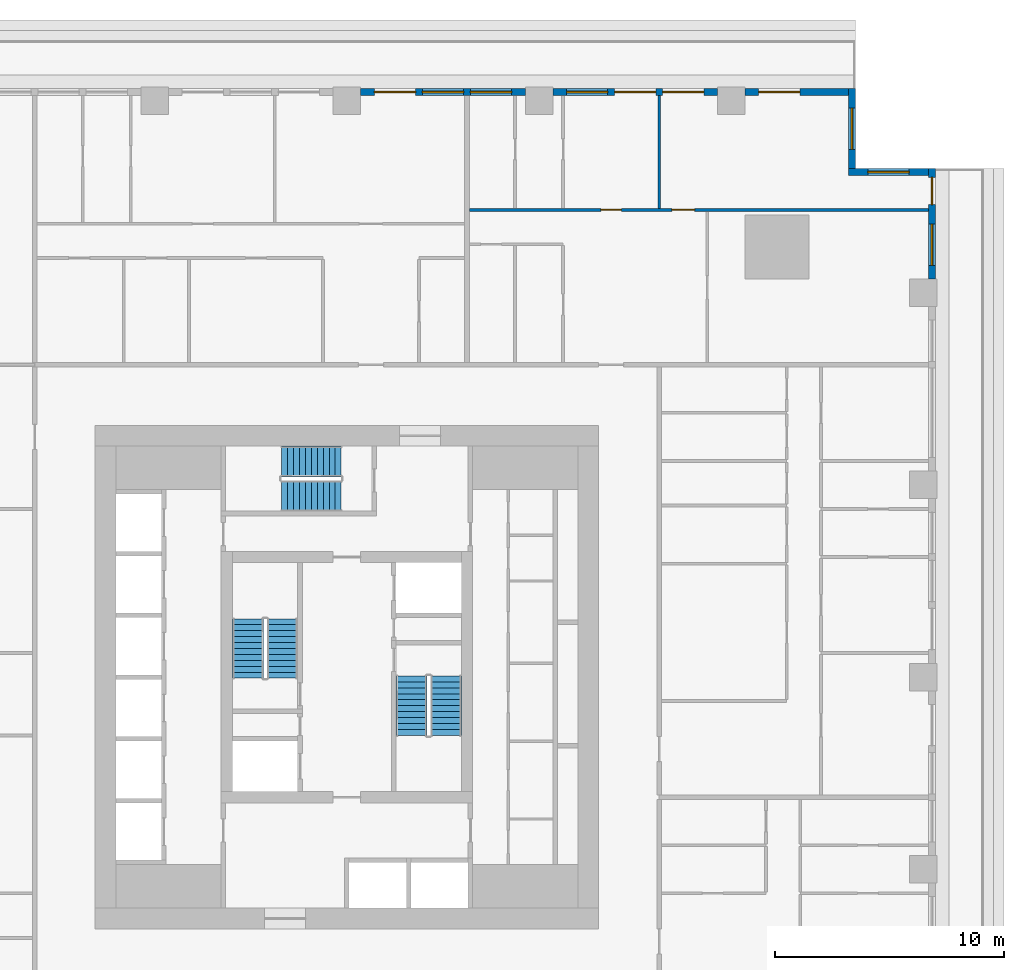
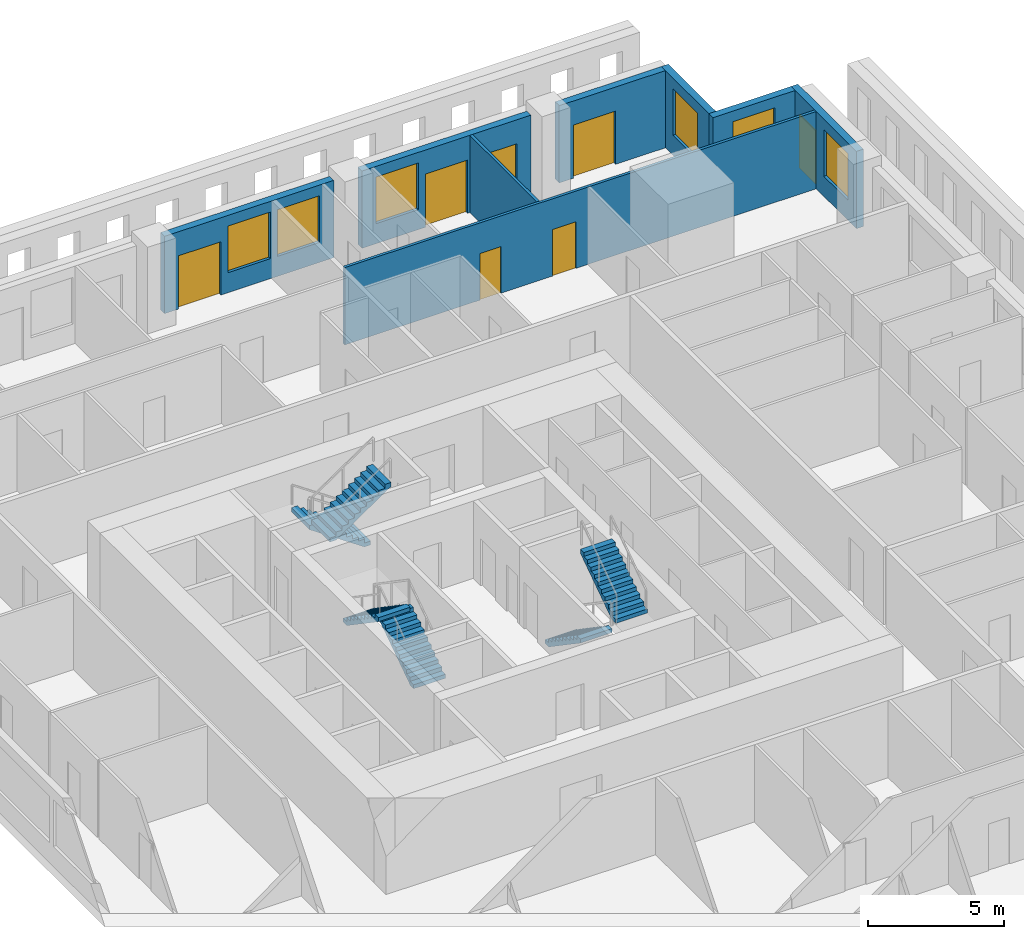
# One storey, part 9 of 14: 8 walls, 7 doors, 6 stair flights, 6 windows, 13 openings, 3 elements without a shape of their own.
"""IFC4 building model written with IfcOpenShell, lengths in metres."""

from ifc_helpers import new_model, si_unit, direction, frame, frame_2d, origin, place, context, subcontext, project, spatial, polyline, rectangle, outline, extrude, material, layer, layer_set, type_object, element, fill, aggregate, save


model = new_model("IFC4")

# Units and contexts
model_context = context("Model", 3, precision=1e-05, world=origin(), true_north=direction((0.0, 1.0)))
body_context = subcontext(model_context, "Body", "Model", "MODEL_VIEW")
ifc_project = project(units=[si_unit("LENGTHUNIT", "METRE"), si_unit("AREAUNIT", "SQUARE_METRE"), si_unit("VOLUMEUNIT", "CUBIC_METRE"), si_unit("PLANEANGLEUNIT", "RADIAN"), si_unit("MASSUNIT", "GRAM", prefix="KILO")], contexts=[model_context])

# Site, building, storey
site_placement = place(None, origin())
site = spatial("IfcSite", under=ifc_project, at=site_placement, CompositionType="ELEMENT")
building_placement = place(site_placement, origin())
building = spatial("IfcBuilding", under=site, at=building_placement, Name="Khepri Terraces", CompositionType="ELEMENT")
storey_placement = place(building_placement, frame((0.0, 0.0, 102.60009765625)))
storey = spatial("IfcBuildingStorey", under=building, at=storey_placement, Name="L24", CompositionType="ELEMENT", Elevation=102.60009765625)

# Wall, openings, door, window
ifc_material_1 = material(Name="Precast concrete C50/60 warm stone", Category="masonry")
ifc_layer_1 = layer(ifc_material_1, 0.300048828125, Name="Precast concrete C50/60 warm stone", Category="masonry")
ifc_layer_set_1 = layer_set([ifc_layer_1], Name="Precast concrete C50/60 warm stone")
wall_type_1 = type_object("IfcWallType", Name="WL-EXT-PRECAST-300", PredefinedType="STANDARD", material=ifc_layer_set_1)
wall_1_placement = place(storey_placement, frame((25.570068359375, 17.39990234375, 0.0), z_axis=(0.0, 0.0, 1.0), x_axis=(0.0, 1.0, 0.0)))
wall_1 = element("IfcWall", 1, at=wall_1_placement, inside=storey, type_object=wall_type_1, Name="External wall L24 E", PredefinedType="STANDARD", context=body_context, shape_type="SweptSolid", body=[
    extrude(rectangle(XDim=4.820068359375, YDim=0.300048828125, at=frame_2d((2.41015625, 0.0))), origin(), (0.0, 0.0, 1.0), 3.47998046875),
])
opening_1_placement = place(wall_1_placement, frame((0.60009765625, 0.0, 0.89990234375)))
opening_1 = element("IfcOpeningElement", 2, at=opening_1_placement, cuts=wall_1, Name="Opening W1", PredefinedType="OPENING", context=body_context, shape_type="SweptSolid", body=[
    extrude(rectangle(XDim=1.800048828125, YDim=2.10009765625, at=frame_2d((0.89990234375, 1.050048828125))), frame((0.0, 0.16015625, 0.0), z_axis=(0.0, -1.0, 0.0), x_axis=(1.0, 0.0, 0.0)), (0.0, 0.0, 1.0), 0.320068359375),
])
opening_2_placement = place(wall_1_placement, frame((3.2451171875, 0.0, 0.0)))
opening_2 = element("IfcOpeningElement", 3, at=opening_2_placement, cuts=wall_1, Name="Opening ED-L24-06", PredefinedType="OPENING", context=body_context, shape_type="SweptSolid", body=[
    extrude(rectangle(XDim=1.199951171875, YDim=2.39990234375, at=frame_2d((0.60009765625, 1.199951171875))), frame((0.0, 0.16015625, 0.0), z_axis=(0.0, -1.0, 0.0), x_axis=(1.0, 0.0, 0.0)), (0.0, 0.0, 1.0), 0.320068359375),
])
ifc_material_2 = material(Name="Anodised aluminium bronze glazed door", Category="aluminium")
door_type_1 = type_object("IfcDoorType", Name="DR-BAL-SLIDE-1200x2400", OperationType="NOTDEFINED", PredefinedType="DOOR", material=ifc_material_2)
door_1_placement = place(opening_2_placement, origin())
door_1 = element("IfcDoor", 4, at=door_1_placement, inside=storey, type_object=door_type_1, Name="Balcony door L24 E", OperationType="SLIDING_TO_RIGHT", OverallHeight=2.39990234375, OverallWidth=1.199951171875, PredefinedType="DOOR", context=body_context, shape_type="SweptSolid", body=[
    extrude(rectangle(XDim=1.199951171875, YDim=2.39990234375, at=frame_2d((0.60009765625, 1.199951171875))), frame((0.0, 0.02490234375, 0.0), z_axis=(0.0, -1.0, 0.0), x_axis=(1.0, 0.0, 0.0)), (0.0, 0.0, 1.0), 0.050048828125),
])
fill(opening_2, door_1)
ifc_material_3 = material(Name="Clear glass", Category="glass")
window_type = type_object("IfcWindowType", Name="WIN-RES-1800x2100", PartitioningType="SINGLE_PANEL", PredefinedType="WINDOW", material=ifc_material_3)
window_1_placement = place(opening_1_placement, origin())
window_1 = element("IfcWindow", 5, at=window_1_placement, inside=storey, type_object=window_type, Name="Window L24 E", OverallHeight=2.10009765625, OverallWidth=1.800048828125, PartitioningType="SINGLE_PANEL", PredefinedType="WINDOW", context=body_context, shape_type="SweptSolid", body=[
    extrude(rectangle(XDim=1.800048828125, YDim=2.10009765625, at=frame_2d((0.89990234375, 1.050048828125))), frame((0.0, 0.030029296875, 0.0), z_axis=(0.0, -1.0, 0.0), x_axis=(1.0, 0.0, 0.0)), (0.0, 0.0, 1.0), 0.06005859375),
])
fill(opening_1, window_1)

# Wall, opening, window
wall_2_placement = place(storey_placement, frame((25.419921875, 22.070068359375, 0.0), z_axis=(0.0, 0.0, 1.0), x_axis=(-1.0, 0.0, 0.0)))
wall_2 = element("IfcWall", 6, at=wall_2_placement, inside=storey, type_object=wall_type_1, Name="External wall L24 N", PredefinedType="STANDARD", context=body_context, shape_type="SweptSolid", body=[
    extrude(rectangle(XDim=3.5, YDim=0.300048828125, at=frame_2d((1.75, 0.0))), origin(), (0.0, 0.0, 1.0), 3.47998046875),
])
opening_3_placement = place(wall_2_placement, frame((0.85009765625, 0.0, 0.89990234375)))
opening_3 = element("IfcOpeningElement", 7, at=opening_3_placement, cuts=wall_2, Name="Opening W1", PredefinedType="OPENING", context=body_context, shape_type="SweptSolid", body=[
    extrude(rectangle(XDim=1.800048828125, YDim=2.10009765625, at=frame_2d((0.89990234375, 1.050048828125))), frame((0.0, 0.16015625, 0.0), z_axis=(0.0, -1.0, 0.0), x_axis=(1.0, 0.0, 0.0)), (0.0, 0.0, 1.0), 0.320068359375),
])
window_2_placement = place(opening_3_placement, origin())
window_2 = element("IfcWindow", 8, at=window_2_placement, inside=storey, type_object=window_type, Name="Window L24 N", OverallHeight=2.10009765625, OverallWidth=1.800048828125, PartitioningType="SINGLE_PANEL", PredefinedType="WINDOW", context=body_context, shape_type="SweptSolid", body=[
    extrude(rectangle(XDim=1.800048828125, YDim=2.10009765625, at=frame_2d((0.89990234375, 1.050048828125))), frame((0.0, 0.030029296875, 0.0), z_axis=(0.0, -1.0, 0.0), x_axis=(1.0, 0.0, 0.0)), (0.0, 0.0, 1.0), 0.06005859375),
])
fill(opening_3, window_2)

wall_3_placement = place(storey_placement, frame((22.070068359375, 22.219970703125, 0.0), z_axis=(0.0, 0.0, 1.0), x_axis=(0.0, 1.0, 0.0)))
wall_3 = element("IfcWall", 9, at=wall_3_placement, inside=storey, type_object=wall_type_1, Name="External wall L24 E", PredefinedType="STANDARD", context=body_context, shape_type="SweptSolid", body=[
    extrude(rectangle(XDim=3.5, YDim=0.300048828125, at=frame_2d((1.75, 0.0))), origin(), (0.0, 0.0, 1.0), 3.47998046875),
])
opening_4_placement = place(wall_3_placement, frame((0.85009765625, 0.0, 0.89990234375)))
opening_4 = element("IfcOpeningElement", 10, at=opening_4_placement, cuts=wall_3, Name="Opening W1", PredefinedType="OPENING", context=body_context, shape_type="SweptSolid", body=[
    extrude(rectangle(XDim=1.800048828125, YDim=2.10009765625, at=frame_2d((0.89990234375, 1.050048828125))), frame((0.0, 0.16015625, 0.0), z_axis=(0.0, -1.0, 0.0), x_axis=(1.0, 0.0, 0.0)), (0.0, 0.0, 1.0), 0.320068359375),
])
window_3_placement = place(opening_4_placement, origin())
window_3 = element("IfcWindow", 11, at=window_3_placement, inside=storey, type_object=window_type, Name="Window L24 E", OverallHeight=2.10009765625, OverallWidth=1.800048828125, PartitioningType="SINGLE_PANEL", PredefinedType="WINDOW", context=body_context, shape_type="SweptSolid", body=[
    extrude(rectangle(XDim=1.800048828125, YDim=2.10009765625, at=frame_2d((0.89990234375, 1.050048828125))), frame((0.0, 0.030029296875, 0.0), z_axis=(0.0, -1.0, 0.0), x_axis=(1.0, 0.0, 0.0)), (0.0, 0.0, 1.0), 0.06005859375),
])
fill(opening_4, window_3)

# Wall, opening, door
wall_4_placement = place(storey_placement, frame((21.919921875, 25.570068359375, 0.0), z_axis=(0.0, 0.0, 1.0), x_axis=(-1.0, 0.0, 0.0)))
wall_4 = element("IfcWall", 12, at=wall_4_placement, inside=storey, type_object=wall_type_1, Name="External wall L24 N", PredefinedType="STANDARD", context=body_context, shape_type="SweptSolid", body=[
    extrude(rectangle(XDim=4.52001953125, YDim=0.300048828125, at=frame_2d((2.260009765625, 0.0))), origin(), (0.0, 0.0, 1.0), 3.47998046875),
])
opening_5_placement = place(wall_4_placement, frame((2.1201171875, 0.0, 0.0)))
opening_5 = element("IfcOpeningElement", 13, at=opening_5_placement, cuts=wall_4, Name="Opening ED-L24-07", PredefinedType="OPENING", context=body_context, shape_type="SweptSolid", body=[
    extrude(rectangle(XDim=1.800048828125, YDim=2.39990234375, at=frame_2d((0.89990234375, 1.199951171875))), frame((0.0, 0.16015625, 0.0), z_axis=(0.0, -1.0, 0.0), x_axis=(1.0, 0.0, 0.0)), (0.0, 0.0, 1.0), 0.320068359375),
])
door_type_2 = type_object("IfcDoorType", Name="DR-BAL-SLIDE-1800x2400", OperationType="NOTDEFINED", PredefinedType="DOOR", material=ifc_material_2)
door_2_placement = place(opening_5_placement, origin())
door_2 = element("IfcDoor", 14, at=door_2_placement, inside=storey, type_object=door_type_2, Name="Balcony door L24 N", OperationType="SLIDING_TO_RIGHT", OverallHeight=2.39990234375, OverallWidth=1.800048828125, PredefinedType="DOOR", context=body_context, shape_type="SweptSolid", body=[
    extrude(rectangle(XDim=1.800048828125, YDim=2.39990234375, at=frame_2d((0.89990234375, 1.199951171875))), frame((0.0, 0.02490234375, 0.0), z_axis=(0.0, -1.0, 0.0), x_axis=(1.0, 0.0, 0.0)), (0.0, 0.0, 1.0), 0.050048828125),
])
fill(opening_5, door_2)

# Wall, openings, doors, window
wall_5_placement = place(storey_placement, frame((16.199951171875, 25.570068359375, 0.0), z_axis=(0.0, 0.0, 1.0), x_axis=(-1.0, 0.0, 0.0)))
wall_5 = element("IfcWall", 15, at=wall_5_placement, inside=storey, type_object=wall_type_1, Name="External wall L24 N", PredefinedType="STANDARD", context=body_context, shape_type="SweptSolid", body=[
    extrude(rectangle(XDim=7.199951171875, YDim=0.300048828125, at=frame_2d((3.60009765625, 0.0))), origin(), (0.0, 0.0, 1.0), 3.47998046875),
])
opening_6_placement = place(wall_5_placement, frame((0.60009765625, 0.0, 0.0)))
opening_6 = element("IfcOpeningElement", 16, at=opening_6_placement, cuts=wall_5, Name="Opening ED-L24-08", PredefinedType="OPENING", context=body_context, shape_type="SweptSolid", body=[
    extrude(rectangle(XDim=1.800048828125, YDim=2.39990234375, at=frame_2d((0.89990234375, 1.199951171875))), frame((0.0, 0.16015625, 0.0), z_axis=(0.0, -1.0, 0.0), x_axis=(1.0, 0.0, 0.0)), (0.0, 0.0, 1.0), 0.320068359375),
])
opening_7_placement = place(wall_5_placement, frame((2.699951171875, 0.0, 0.0)))
opening_7 = element("IfcOpeningElement", 17, at=opening_7_placement, cuts=wall_5, Name="Opening ED-L24-09", PredefinedType="OPENING", context=body_context, shape_type="SweptSolid", body=[
    extrude(rectangle(XDim=1.800048828125, YDim=2.39990234375, at=frame_2d((0.89990234375, 1.199951171875))), frame((0.0, 0.16015625, 0.0), z_axis=(0.0, -1.0, 0.0), x_axis=(1.0, 0.0, 0.0)), (0.0, 0.0, 1.0), 0.320068359375),
])
opening_8_placement = place(wall_5_placement, frame((4.800048828125, 0.0, 0.89990234375)))
opening_8 = element("IfcOpeningElement", 18, at=opening_8_placement, cuts=wall_5, Name="Opening W1", PredefinedType="OPENING", context=body_context, shape_type="SweptSolid", body=[
    extrude(rectangle(XDim=1.800048828125, YDim=2.10009765625, at=frame_2d((0.89990234375, 1.050048828125))), frame((0.0, 0.16015625, 0.0), z_axis=(0.0, -1.0, 0.0), x_axis=(1.0, 0.0, 0.0)), (0.0, 0.0, 1.0), 0.320068359375),
])
door_3_placement = place(opening_6_placement, origin())
door_3 = element("IfcDoor", 19, at=door_3_placement, inside=storey, type_object=door_type_2, Name="Balcony door L24 N", OperationType="SLIDING_TO_LEFT", OverallHeight=2.39990234375, OverallWidth=1.800048828125, PredefinedType="DOOR", context=body_context, shape_type="SweptSolid", body=[
    extrude(rectangle(XDim=1.800048828125, YDim=2.39990234375, at=frame_2d((0.89990234375, 1.199951171875))), frame((0.0, 0.02490234375, 0.0), z_axis=(0.0, -1.0, 0.0), x_axis=(1.0, 0.0, 0.0)), (0.0, 0.0, 1.0), 0.050048828125),
])
fill(opening_6, door_3)
door_4_placement = place(opening_7_placement, origin())
door_4 = element("IfcDoor", 20, at=door_4_placement, inside=storey, type_object=door_type_2, Name="Balcony door L24 N", OperationType="SLIDING_TO_RIGHT", OverallHeight=2.39990234375, OverallWidth=1.800048828125, PredefinedType="DOOR", context=body_context, shape_type="SweptSolid", body=[
    extrude(rectangle(XDim=1.800048828125, YDim=2.39990234375, at=frame_2d((0.89990234375, 1.199951171875))), frame((0.0, 0.02490234375, 0.0), z_axis=(0.0, -1.0, 0.0), x_axis=(1.0, 0.0, 0.0)), (0.0, 0.0, 1.0), 0.050048828125),
])
fill(opening_7, door_4)
window_4_placement = place(opening_8_placement, origin())
window_4 = element("IfcWindow", 21, at=window_4_placement, inside=storey, type_object=window_type, Name="Window L24 N", OverallHeight=2.10009765625, OverallWidth=1.800048828125, PartitioningType="SINGLE_PANEL", PredefinedType="WINDOW", context=body_context, shape_type="SweptSolid", body=[
    extrude(rectangle(XDim=1.800048828125, YDim=2.10009765625, at=frame_2d((0.89990234375, 1.050048828125))), frame((0.0, 0.030029296875, 0.0), z_axis=(0.0, -1.0, 0.0), x_axis=(1.0, 0.0, 0.0)), (0.0, 0.0, 1.0), 0.06005859375),
])
fill(opening_8, window_4)

# Wall, openings, door, windows
wall_6_placement = place(storey_placement, frame((7.800048828125, 25.570068359375, 0.0), z_axis=(0.0, 0.0, 1.0), x_axis=(-1.0, 0.0, 0.0)))
wall_6 = element("IfcWall", 22, at=wall_6_placement, inside=storey, type_object=wall_type_1, Name="External wall L24 N", PredefinedType="STANDARD", context=body_context, shape_type="SweptSolid", body=[
    extrude(rectangle(XDim=7.199951171875, YDim=0.300048828125, at=frame_2d((3.60009765625, 0.0))), origin(), (0.0, 0.0, 1.0), 3.47998046875),
])
opening_9_placement = place(wall_6_placement, frame((0.60009765625, 0.0, 0.89990234375)))
opening_9 = element("IfcOpeningElement", 23, at=opening_9_placement, cuts=wall_6, Name="Opening W1", PredefinedType="OPENING", context=body_context, shape_type="SweptSolid", body=[
    extrude(rectangle(XDim=1.800048828125, YDim=2.10009765625, at=frame_2d((0.89990234375, 1.050048828125))), frame((0.0, 0.16015625, 0.0), z_axis=(0.0, -1.0, 0.0), x_axis=(1.0, 0.0, 0.0)), (0.0, 0.0, 1.0), 0.320068359375),
])
opening_10_placement = place(wall_6_placement, frame((2.699951171875, 0.0, 0.89990234375)))
opening_10 = element("IfcOpeningElement", 24, at=opening_10_placement, cuts=wall_6, Name="Opening W1", PredefinedType="OPENING", context=body_context, shape_type="SweptSolid", body=[
    extrude(rectangle(XDim=1.800048828125, YDim=2.10009765625, at=frame_2d((0.89990234375, 1.050048828125))), frame((0.0, 0.16015625, 0.0), z_axis=(0.0, -1.0, 0.0), x_axis=(1.0, 0.0, 0.0)), (0.0, 0.0, 1.0), 0.320068359375),
])
opening_11_placement = place(wall_6_placement, frame((4.800048828125, 0.0, 0.0)))
opening_11 = element("IfcOpeningElement", 25, at=opening_11_placement, cuts=wall_6, Name="Opening ED-L24-10", PredefinedType="OPENING", context=body_context, shape_type="SweptSolid", body=[
    extrude(rectangle(XDim=1.800048828125, YDim=2.39990234375, at=frame_2d((0.89990234375, 1.199951171875))), frame((0.0, 0.16015625, 0.0), z_axis=(0.0, -1.0, 0.0), x_axis=(1.0, 0.0, 0.0)), (0.0, 0.0, 1.0), 0.320068359375),
])
door_5_placement = place(opening_11_placement, origin())
door_5 = element("IfcDoor", 26, at=door_5_placement, inside=storey, type_object=door_type_2, Name="Balcony door L24 N", OperationType="SLIDING_TO_RIGHT", OverallHeight=2.39990234375, OverallWidth=1.800048828125, PredefinedType="DOOR", context=body_context, shape_type="SweptSolid", body=[
    extrude(rectangle(XDim=1.800048828125, YDim=2.39990234375, at=frame_2d((0.89990234375, 1.199951171875))), frame((0.0, 0.02490234375, 0.0), z_axis=(0.0, -1.0, 0.0), x_axis=(1.0, 0.0, 0.0)), (0.0, 0.0, 1.0), 0.050048828125),
])
fill(opening_11, door_5)
window_5_placement = place(opening_9_placement, origin())
window_5 = element("IfcWindow", 27, at=window_5_placement, inside=storey, type_object=window_type, Name="Window L24 N", OverallHeight=2.10009765625, OverallWidth=1.800048828125, PartitioningType="SINGLE_PANEL", PredefinedType="WINDOW", context=body_context, shape_type="SweptSolid", body=[
    extrude(rectangle(XDim=1.800048828125, YDim=2.10009765625, at=frame_2d((0.89990234375, 1.050048828125))), frame((0.0, 0.030029296875, 0.0), z_axis=(0.0, -1.0, 0.0), x_axis=(1.0, 0.0, 0.0)), (0.0, 0.0, 1.0), 0.06005859375),
])
fill(opening_9, window_5)
window_6_placement = place(opening_10_placement, origin())
window_6 = element("IfcWindow", 28, at=window_6_placement, inside=storey, type_object=window_type, Name="Window L24 N", OverallHeight=2.10009765625, OverallWidth=1.800048828125, PartitioningType="SINGLE_PANEL", PredefinedType="WINDOW", context=body_context, shape_type="SweptSolid", body=[
    extrude(rectangle(XDim=1.800048828125, YDim=2.10009765625, at=frame_2d((0.89990234375, 1.050048828125))), frame((0.0, 0.030029296875, 0.0), z_axis=(0.0, -1.0, 0.0), x_axis=(1.0, 0.0, 0.0)), (0.0, 0.0, 1.0), 0.06005859375),
])
fill(opening_10, window_6)

# Wall, openings, doors
ifc_material_4 = material(Name="Gypsum plasterboard partition")
ifc_layer_2 = layer(ifc_material_4, 0.1201171875, Name="Gypsum plasterboard partition")
ifc_layer_set_2 = layer_set([ifc_layer_2], Name="Gypsum plasterboard partition")
wall_type_2 = type_object("IfcWallType", Name="WL-PART-120", PredefinedType="PARTITIONING", material=ifc_layer_set_2)
wall_7_placement = place(storey_placement, frame((5.35009765625, 20.419921875, 0.0), z_axis=(0.0, 0.0, 1.0), x_axis=(1.0, 0.0, 0.0)))
wall_7 = element("IfcWall", 29, at=wall_7_placement, inside=storey, type_object=wall_type_2, Name="Partition P-089 L24", PredefinedType="PARTITIONING", context=body_context, shape_type="SweptSolid", body=[
    extrude(rectangle(XDim=20.06982421875, YDim=0.1201171875, at=frame_2d((10.034912109375, 0.0))), origin(), (0.0, 0.0, 1.0), 3.47998046875),
])
opening_12_placement = place(wall_7_placement, frame((8.85009765625, 0.0, 0.0)))
opening_12 = element("IfcOpeningElement", 30, at=opening_12_placement, cuts=wall_7, Name="Opening D2", PredefinedType="OPENING", context=body_context, shape_type="SweptSolid", body=[
    extrude(rectangle(XDim=1.0, YDim=2.10009765625, at=frame_2d((0.5, 1.050048828125))), frame((0.0, 0.070068359375, 0.0), z_axis=(0.0, -1.0, 0.0), x_axis=(1.0, 0.0, 0.0)), (0.0, 0.0, 1.0), 0.14013671875),
])
opening_13_placement = place(wall_7_placement, frame((5.75, 0.0, 0.0)))
opening_13 = element("IfcOpeningElement", 31, at=opening_13_placement, cuts=wall_7, Name="Opening D3", PredefinedType="OPENING", context=body_context, shape_type="SweptSolid", body=[
    extrude(rectangle(XDim=0.89990234375, YDim=2.10009765625, at=frame_2d((0.449951171875, 1.050048828125))), frame((0.0, 0.070068359375, 0.0), z_axis=(0.0, -1.0, 0.0), x_axis=(1.0, 0.0, 0.0)), (0.0, 0.0, 1.0), 0.14013671875),
])
ifc_material_5 = material(Name="Timber door leaf, living room door", Category="wood")
door_type_3 = type_object("IfcDoorType", Name="DR-INT-1000", OperationType="NOTDEFINED", PredefinedType="DOOR", material=ifc_material_5)
door_6_placement = place(opening_12_placement, origin())
door_6 = element("IfcDoor", 32, at=door_6_placement, inside=storey, type_object=door_type_3, Name="Door Living Room", OperationType="SINGLE_SWING_LEFT", OverallHeight=2.10009765625, OverallWidth=1.0, PredefinedType="DOOR", context=body_context, shape_type="SweptSolid", body=[
    extrude(rectangle(XDim=1.0, YDim=2.10009765625, at=frame_2d((0.5, 1.050048828125))), frame((0.0, 0.02490234375, 0.0), z_axis=(0.0, -1.0, 0.0), x_axis=(1.0, 0.0, 0.0)), (0.0, 0.0, 1.0), 0.050048828125),
])
fill(opening_12, door_6)
ifc_material_6 = material(Name="Timber door leaf", Category="wood")
door_type_4 = type_object("IfcDoorType", Name="DR-INT-900", OperationType="NOTDEFINED", PredefinedType="DOOR", material=ifc_material_6)
door_7_placement = place(opening_13_placement, origin())
door_7 = element("IfcDoor", 33, at=door_7_placement, inside=storey, type_object=door_type_4, Name="Door Master Bedroom", OperationType="SINGLE_SWING_LEFT", OverallHeight=2.10009765625, OverallWidth=0.89990234375, PredefinedType="DOOR", context=body_context, shape_type="SweptSolid", body=[
    extrude(rectangle(XDim=0.89990234375, YDim=2.10009765625, at=frame_2d((0.449951171875, 1.050048828125))), frame((0.0, 0.02490234375, 0.0), z_axis=(0.0, -1.0, 0.0), x_axis=(1.0, 0.0, 0.0)), (0.0, 0.0, 1.0), 0.050048828125),
])
fill(opening_13, door_7)

# Wall
wall_8_placement = place(storey_placement, frame((13.64990234375, 20.47998046875, 0.0), z_axis=(0.0, 0.0, 1.0), x_axis=(0.0, 1.0, 0.0)))
element("IfcWall", 34, at=wall_8_placement, inside=storey, type_object=wall_type_2, Name="Partition P-092 L24", PredefinedType="PARTITIONING", context=body_context, shape_type="SweptSolid", body=[
    extrude(rectangle(XDim=4.93994140625, YDim=0.1201171875, at=frame_2d((2.469970703125, 0.0))), origin(), (0.0, 0.0, 1.0), 3.47998046875),
])

# Stair, stair flights
ifc_material_7 = material(Name="Concrete C40/50", Category="concrete")
stair_type = type_object("IfcStairType", Name="STAIR-RC-22R", PredefinedType="HALF_TURN_STAIR", material=ifc_material_7)
stair_1_placement = place(storey_placement, origin())
stair_1 = element("IfcStair", 35, at=stair_1_placement, inside=storey, type_object=stair_type, Name="L24 Exit Stair ST-1", PredefinedType="HALF_TURN_STAIR")
stair_flight_type = type_object("IfcStairFlightType", Name="SFL-RC-177.3", PredefinedType="STRAIGHT", material=ifc_material_7)
stair_flight_1_placement = place(storey_placement, frame((-2.824951171875, -0.050048828125, 0.0), z_axis=(0.0, 0.0, 1.0), x_axis=(0.0, 1.0, 0.0)))
stair_flight_1 = element("IfcStairFlight", 36, at=stair_flight_1_placement, type_object=stair_flight_type, Name="ST-1 flight 1", NumberOfRisers=11, NumberOfTreads=10, PredefinedType="STRAIGHT", RiserHeight=0.177272727, TreadLength=0.26, context=body_context, shape_type="SweptSolid", body=[
    extrude(outline(polyline([(0.0, 0.0), (0.0, 0.17724609375), (0.260009765625, 0.17724609375), (0.260009765625, 0.3544921875), (0.52001953125, 0.3544921875), (0.52001953125, 0.53173828125), (0.780029296875, 0.53173828125), (0.780029296875, 0.708984375), (1.0400390625, 0.708984375), (1.0400390625, 0.886474609375), (1.300048828125, 0.886474609375), (1.300048828125, 1.063720703125), (1.56005859375, 1.063720703125), (1.56005859375, 1.240966796875), (1.820068359375, 1.240966796875), (1.820068359375, 1.418212890625), (2.080078125, 1.418212890625), (2.080078125, 1.595458984375), (2.340087890625, 1.595458984375), (2.340087890625, 1.772705078125), (2.60009765625, 1.772705078125), (2.60009765625, 1.949951171875), (2.60009765625, 1.59130859375), (0.26611328125, 0.0), (0.0, 0.0)])), frame((0.0, 0.675048828125, 0.0), z_axis=(0.0, -1.0, 0.0), x_axis=(1.0, 0.0, 0.0)), (0.0, 0.0, 1.0), 1.35009765625),
])
stair_flight_2_placement = place(storey_placement, frame((-4.324951171875, 2.550048828125, 1.949951171875), z_axis=(0.0, 0.0, 1.0), x_axis=(0.0, -1.0, 0.0)))
stair_flight_2 = element("IfcStairFlight", 37, at=stair_flight_2_placement, type_object=stair_flight_type, Name="ST-1 flight 2", NumberOfRisers=11, NumberOfTreads=10, PredefinedType="STRAIGHT", RiserHeight=0.177272727, TreadLength=0.26, context=body_context, shape_type="SweptSolid", body=[
    extrude(outline(polyline([(0.0, 0.0), (0.0, 0.17724609375), (0.260009765625, 0.17724609375), (0.260009765625, 0.3544921875), (0.52001953125, 0.3544921875), (0.52001953125, 0.53173828125), (0.780029296875, 0.53173828125), (0.780029296875, 0.708984375), (1.0400390625, 0.708984375), (1.0400390625, 0.886474609375), (1.300048828125, 0.886474609375), (1.300048828125, 1.063720703125), (1.56005859375, 1.063720703125), (1.56005859375, 1.240966796875), (1.820068359375, 1.240966796875), (1.820068359375, 1.418212890625), (2.080078125, 1.418212890625), (2.080078125, 1.595458984375), (2.340087890625, 1.595458984375), (2.340087890625, 1.772705078125), (2.60009765625, 1.772705078125), (2.60009765625, 1.949951171875), (2.60009765625, 1.59130859375), (0.26611328125, 0.0), (0.0, 0.0)])), frame((0.0, 0.675048828125, 0.0), z_axis=(0.0, -1.0, 0.0), x_axis=(1.0, 0.0, 0.0)), (0.0, 0.0, 1.0), 1.35009765625),
])
aggregate(stair_1, [stair_flight_1, stair_flight_2])

stair_2_placement = place(storey_placement, origin())
stair_2 = element("IfcStair", 38, at=stair_2_placement, inside=storey, type_object=stair_type, Name="L24 Exit Stair ST-2", PredefinedType="HALF_TURN_STAIR")
stair_flight_3_placement = place(storey_placement, frame((2.824951171875, 0.050048828125, 0.0), z_axis=(0.0, 0.0, 1.0), x_axis=(0.0, -1.0, 0.0)))
stair_flight_3 = element("IfcStairFlight", 39, at=stair_flight_3_placement, type_object=stair_flight_type, Name="ST-2 flight 1", NumberOfRisers=11, NumberOfTreads=10, PredefinedType="STRAIGHT", RiserHeight=0.177272727, TreadLength=0.26, context=body_context, shape_type="SweptSolid", body=[
    extrude(outline(polyline([(0.0, 0.0), (0.0, 0.17724609375), (0.260009765625, 0.17724609375), (0.260009765625, 0.3544921875), (0.52001953125, 0.3544921875), (0.52001953125, 0.53173828125), (0.780029296875, 0.53173828125), (0.780029296875, 0.708984375), (1.0400390625, 0.708984375), (1.0400390625, 0.886474609375), (1.300048828125, 0.886474609375), (1.300048828125, 1.063720703125), (1.56005859375, 1.063720703125), (1.56005859375, 1.240966796875), (1.820068359375, 1.240966796875), (1.820068359375, 1.418212890625), (2.080078125, 1.418212890625), (2.080078125, 1.595458984375), (2.340087890625, 1.595458984375), (2.340087890625, 1.772705078125), (2.60009765625, 1.772705078125), (2.60009765625, 1.949951171875), (2.60009765625, 1.59130859375), (0.26611328125, 0.0), (0.0, 0.0)])), frame((0.0, 0.675048828125, 0.0), z_axis=(0.0, -1.0, 0.0), x_axis=(1.0, 0.0, 0.0)), (0.0, 0.0, 1.0), 1.35009765625),
])
stair_flight_4_placement = place(storey_placement, frame((4.324951171875, -2.550048828125, 1.949951171875), z_axis=(0.0, 0.0, 1.0), x_axis=(0.0, 1.0, 0.0)))
stair_flight_4 = element("IfcStairFlight", 40, at=stair_flight_4_placement, type_object=stair_flight_type, Name="ST-2 flight 2", NumberOfRisers=11, NumberOfTreads=10, PredefinedType="STRAIGHT", RiserHeight=0.177272727, TreadLength=0.26, context=body_context, shape_type="SweptSolid", body=[
    extrude(outline(polyline([(0.0, 0.0), (0.0, 0.17724609375), (0.260009765625, 0.17724609375), (0.260009765625, 0.3544921875), (0.52001953125, 0.3544921875), (0.52001953125, 0.53173828125), (0.780029296875, 0.53173828125), (0.780029296875, 0.708984375), (1.0400390625, 0.708984375), (1.0400390625, 0.886474609375), (1.300048828125, 0.886474609375), (1.300048828125, 1.063720703125), (1.56005859375, 1.063720703125), (1.56005859375, 1.240966796875), (1.820068359375, 1.240966796875), (1.820068359375, 1.418212890625), (2.080078125, 1.418212890625), (2.080078125, 1.595458984375), (2.340087890625, 1.595458984375), (2.340087890625, 1.772705078125), (2.60009765625, 1.772705078125), (2.60009765625, 1.949951171875), (2.60009765625, 1.59130859375), (0.26611328125, 0.0), (0.0, 0.0)])), frame((0.0, 0.675048828125, 0.0), z_axis=(0.0, -1.0, 0.0), x_axis=(1.0, 0.0, 0.0)), (0.0, 0.0, 1.0), 1.35009765625),
])
aggregate(stair_2, [stair_flight_3, stair_flight_4])

stair_3_placement = place(storey_placement, origin())
stair_3 = element("IfcStair", 41, at=stair_3_placement, inside=storey, type_object=stair_type, Name="L24 Exit Stair ST-3", PredefinedType="HALF_TURN_STAIR")
stair_flight_5_placement = place(storey_placement, frame((-0.25, 9.425048828125, 0.0), z_axis=(0.0, 0.0, 1.0), x_axis=(-1.0, 0.0, 0.0)))
stair_flight_5 = element("IfcStairFlight", 42, at=stair_flight_5_placement, type_object=stair_flight_type, Name="ST-3 flight 1", NumberOfRisers=11, NumberOfTreads=10, PredefinedType="STRAIGHT", RiserHeight=0.177272727, TreadLength=0.26, context=body_context, shape_type="SweptSolid", body=[
    extrude(outline(polyline([(0.0, 0.0), (0.0, 0.17724609375), (0.260009765625, 0.17724609375), (0.260009765625, 0.3544921875), (0.52001953125, 0.3544921875), (0.52001953125, 0.53173828125), (0.780029296875, 0.53173828125), (0.780029296875, 0.708984375), (1.0400390625, 0.708984375), (1.0400390625, 0.886474609375), (1.300048828125, 0.886474609375), (1.300048828125, 1.063720703125), (1.56005859375, 1.063720703125), (1.56005859375, 1.240966796875), (1.820068359375, 1.240966796875), (1.820068359375, 1.418212890625), (2.080078125, 1.418212890625), (2.080078125, 1.595458984375), (2.340087890625, 1.595458984375), (2.340087890625, 1.772705078125), (2.60009765625, 1.772705078125), (2.60009765625, 1.949951171875), (2.60009765625, 1.59130859375), (0.26611328125, 0.0), (0.0, 0.0)])), frame((0.0, 0.675048828125, 0.0), z_axis=(0.0, -1.0, 0.0), x_axis=(1.0, 0.0, 0.0)), (0.0, 0.0, 1.0), 1.35009765625),
])
stair_flight_6_placement = place(storey_placement, frame((-2.85009765625, 7.925048828125, 1.949951171875), z_axis=(0.0, 0.0, 1.0), x_axis=(1.0, 0.0, 0.0)))
stair_flight_6 = element("IfcStairFlight", 43, at=stair_flight_6_placement, type_object=stair_flight_type, Name="ST-3 flight 2", NumberOfRisers=11, NumberOfTreads=10, PredefinedType="STRAIGHT", RiserHeight=0.177272727, TreadLength=0.26, context=body_context, shape_type="SweptSolid", body=[
    extrude(outline(polyline([(0.0, 0.0), (0.0, 0.17724609375), (0.260009765625, 0.17724609375), (0.260009765625, 0.3544921875), (0.52001953125, 0.3544921875), (0.52001953125, 0.53173828125), (0.780029296875, 0.53173828125), (0.780029296875, 0.708984375), (1.0400390625, 0.708984375), (1.0400390625, 0.886474609375), (1.300048828125, 0.886474609375), (1.300048828125, 1.063720703125), (1.56005859375, 1.063720703125), (1.56005859375, 1.240966796875), (1.820068359375, 1.240966796875), (1.820068359375, 1.418212890625), (2.080078125, 1.418212890625), (2.080078125, 1.595458984375), (2.340087890625, 1.595458984375), (2.340087890625, 1.772705078125), (2.60009765625, 1.772705078125), (2.60009765625, 1.949951171875), (2.60009765625, 1.59130859375), (0.26611328125, 0.0), (0.0, 0.0)])), frame((0.0, 0.675048828125, 0.0), z_axis=(0.0, -1.0, 0.0), x_axis=(1.0, 0.0, 0.0)), (0.0, 0.0, 1.0), 1.35009765625),
])
aggregate(stair_3, [stair_flight_5, stair_flight_6])

save(model, "model.ifc")
